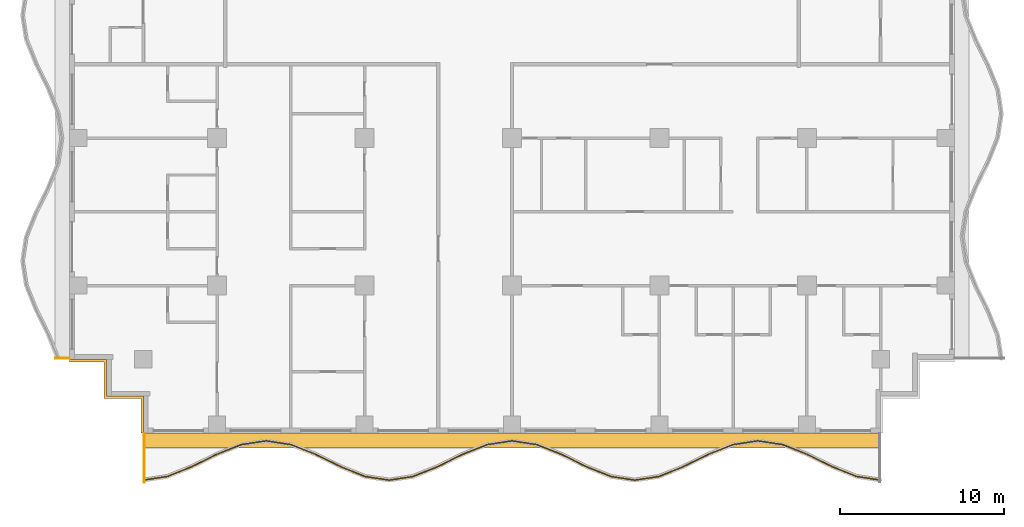
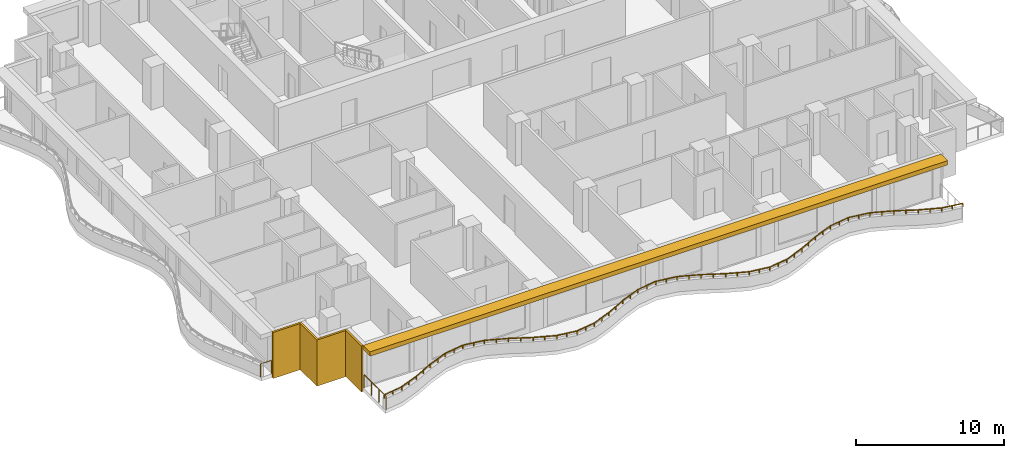
# One storey, part 8 of 11: 3 railings, 2 shading devices.
"""IFC4 building model written with IfcOpenShell, lengths in metres."""

from ifc_helpers import new_model, si_unit, direction, frame, origin, origin_2d, place, context, subcontext, project, spatial, polyline, rectangle, outline, extrude, material, layer, layer_set, type_object, element, save


model = new_model("IFC4")

# Units and contexts
model_context = context("Model", 3, precision=1e-05, world=origin(), true_north=direction((0.0, 1.0)))
body_context = subcontext(model_context, "Body", "Model", "MODEL_VIEW")
ifc_project = project(units=[si_unit("LENGTHUNIT", "METRE"), si_unit("AREAUNIT", "SQUARE_METRE"), si_unit("VOLUMEUNIT", "CUBIC_METRE"), si_unit("PLANEANGLEUNIT", "RADIAN"), si_unit("MASSUNIT", "GRAM", prefix="KILO")], contexts=[model_context])

# Site, building, storey
site_placement = place(None, origin())
site = spatial("IfcSite", under=ifc_project, at=site_placement, CompositionType="ELEMENT")
building_placement = place(site_placement, origin())
building = spatial("IfcBuilding", under=site, at=building_placement, Name="Orbiselva Terraces", CompositionType="ELEMENT")
storey_placement = place(building_placement, frame((0.0, 0.0, 188.2)))
storey = spatial("IfcBuildingStorey", under=building, at=storey_placement, Name="L47", CompositionType="ELEMENT", Elevation=188.2)

# Railings
ifc_material_1 = material(Name="Bonded two-ply safety glass balustrade, stainless steel posts", Category="steel")
railing_type_1 = type_object("IfcRailingType", Name="ENV-BALUSTRADE-1200", PredefinedType="BALUSTRADE", material=ifc_material_1)
railing_1_placement = place(storey_placement, frame((-22.518879, -25.376434, 0.9)))
element("IfcRailing", 1, at=railing_1_placement, inside=storey, type_object=railing_type_1, Name="Balcony balustrade L47 S", PredefinedType="BALUSTRADE", context=body_context, shape_type="SweptSolid", body=[
    extrude(outline(polyline([(0.028868, 0.0), (0.014434, 0.025), (-0.014434, 0.025), (-0.028868, 0.0), (-0.014434, -0.025), (0.014434, -0.025), (0.028868, 0.0)])), frame((0.0, 0.0, 0.275), z_axis=(0.988528552748, 0.151034103443, 0.0), x_axis=(-0.151034103443, 0.988528552748, 0.0)), (0.0, 0.0, 1.0), 1.503038),
    extrude(outline(polyline([(0.028868, 0.0), (0.014434, 0.025), (-0.014434, 0.025), (-0.028868, 0.0), (-0.014434, -0.025), (0.014434, -0.025), (0.028868, 0.0)])), frame((1.485796, 0.22701, 0.275), z_axis=(0.928476561272, 0.371391000387, 0.0), x_axis=(-0.371391000387, 0.928476561272, 0.0)), (0.0, 0.0, 1.0), 1.596261),
    extrude(outline(polyline([(0.028868, 0.0), (0.014434, 0.025), (-0.014434, 0.025), (-0.028868, 0.0), (-0.014434, -0.025), (0.014434, -0.025), (0.028868, 0.0)])), frame((2.967887, 0.819847, 0.275), z_axis=(0.896416672454, 0.443212307306, 0.0), x_axis=(-0.443212307306, 0.896416672454, 0.0)), (0.0, 0.0, 1.0), 1.673329),
    extrude(outline(polyline([(0.028868, 0.0), (0.014434, 0.025), (-0.014434, 0.025), (-0.028868, 0.0), (-0.014434, -0.025), (0.014434, -0.025), (0.028868, 0.0)])), frame((4.467887, 1.561487, 0.275), z_axis=(0.92847681744, 0.371390359967, 0.0), x_axis=(-0.371390359967, 0.92847681744, 0.0)), (0.0, 0.0, 1.0), 1.634838),
    extrude(outline(polyline([(0.028868, 0.0), (0.014434, 0.025), (-0.014434, 0.025), (-0.028868, 0.0), (-0.014434, -0.025), (0.014434, -0.025), (0.028868, 0.0)])), frame((5.985796, 2.16865, 0.275), z_axis=(0.988528536275, 0.151034211256, 0.0), x_axis=(-0.151034211256, 0.988528536275, 0.0)), (0.0, 0.0, 1.0), 1.550874),
    extrude(outline(polyline([(0.028868, 0.0), (0.014434, 0.025), (-0.014434, 0.025), (-0.028868, 0.0), (-0.014434, -0.025), (0.014434, -0.025), (0.028868, 0.0)])), frame((7.518879, 2.402885, 0.275), z_axis=(0.988528536275, -0.151034211256, 0.0), x_axis=(0.151034211256, 0.988528536275, 0.0)), (0.0, 0.0, 1.0), 1.550874),
    extrude(outline(polyline([(0.028868, 0.0), (0.014434, 0.025), (-0.014434, 0.025), (-0.028868, 0.0), (-0.014434, -0.025), (0.014434, -0.025), (0.028868, 0.0)])), frame((9.051962, 2.16865, 0.275), z_axis=(0.92847681744, -0.371390359967, 0.0), x_axis=(0.371390359967, 0.92847681744, 0.0)), (0.0, 0.0, 1.0), 1.634838),
    extrude(outline(polyline([(0.028868, 0.0), (0.014434, 0.025), (-0.014434, 0.025), (-0.028868, 0.0), (-0.014434, -0.025), (0.014434, -0.025), (0.028868, 0.0)])), frame((10.569871, 1.561487, 0.275), z_axis=(0.896416672454, -0.443212307306, 0.0), x_axis=(0.443212307306, 0.896416672454, 0.0)), (0.0, 0.0, 1.0), 1.673329),
    extrude(outline(polyline([(0.028868, 0.0), (0.014434, 0.025), (-0.014434, 0.025), (-0.028868, 0.0), (-0.014434, -0.025), (0.014434, -0.025), (0.028868, 0.0)])), frame((12.069871, 0.819847, 0.275), z_axis=(0.928476561272, -0.371391000387, 0.0), x_axis=(0.371391000387, 0.928476561272, 0.0)), (0.0, 0.0, 1.0), 1.596261),
    extrude(outline(polyline([(0.028868, 0.0), (0.014434, 0.025), (-0.014434, 0.025), (-0.028868, 0.0), (-0.014434, -0.025), (0.014434, -0.025), (0.028868, 0.0)])), frame((13.551962, 0.22701, 0.275), z_axis=(0.988528606898, -0.151033749027, 0.0), x_axis=(0.151033749027, 0.988528606898, 0.0)), (0.0, 0.0, 1.0), 1.48394),
    extrude(outline(polyline([(0.028868, 0.0), (0.014434, 0.025), (-0.014434, 0.025), (-0.028868, 0.0), (-0.014434, -0.025), (0.014434, -0.025), (0.028868, 0.0)])), frame((15.018879, 0.002885, 0.275), z_axis=(0.988528606898, 0.151033749027, 0.0), x_axis=(-0.151033749027, 0.988528606898, 0.0)), (0.0, 0.0, 1.0), 1.48394),
    extrude(outline(polyline([(0.028868, 0.0), (0.014434, 0.025), (-0.014434, 0.025), (-0.028868, 0.0), (-0.014434, -0.025), (0.014434, -0.025), (0.028868, 0.0)])), frame((16.485796, 0.22701, 0.275), z_axis=(0.928476561272, 0.371391000387, 0.0), x_axis=(-0.371391000387, 0.928476561272, 0.0)), (0.0, 0.0, 1.0), 1.596261),
    extrude(outline(polyline([(0.028868, 0.0), (0.014434, 0.025), (-0.014434, 0.025), (-0.028868, 0.0), (-0.014434, -0.025), (0.014434, -0.025), (0.028868, 0.0)])), frame((17.967887, 0.819847, 0.275), z_axis=(0.896416672454, 0.443212307306, 0.0), x_axis=(-0.443212307306, 0.896416672454, 0.0)), (0.0, 0.0, 1.0), 1.673329),
    extrude(outline(polyline([(0.028868, 0.0), (0.014434, 0.025), (-0.014434, 0.025), (-0.028868, 0.0), (-0.014434, -0.025), (0.014434, -0.025), (0.028868, 0.0)])), frame((19.467887, 1.561487, 0.275), z_axis=(0.92847681744, 0.371390359967, 0.0), x_axis=(-0.371390359967, 0.92847681744, 0.0)), (0.0, 0.0, 1.0), 1.634838),
    extrude(outline(polyline([(0.028868, 0.0), (0.014434, 0.025), (-0.014434, 0.025), (-0.028868, 0.0), (-0.014434, -0.025), (0.014434, -0.025), (0.028868, 0.0)])), frame((20.985796, 2.16865, 0.275), z_axis=(0.988528536275, 0.151034211256, 0.0), x_axis=(-0.151034211256, 0.988528536275, 0.0)), (0.0, 0.0, 1.0), 1.550874),
    extrude(outline(polyline([(0.028868, 0.0), (0.014434, 0.025), (-0.014434, 0.025), (-0.028868, 0.0), (-0.014434, -0.025), (0.014434, -0.025), (0.028868, 0.0)])), frame((22.518879, 2.402885, 0.275), z_axis=(0.988528536275, -0.151034211256, 0.0), x_axis=(0.151034211256, 0.988528536275, 0.0)), (0.0, 0.0, 1.0), 1.550874),
    extrude(outline(polyline([(0.028868, 0.0), (0.014434, 0.025), (-0.014434, 0.025), (-0.028868, 0.0), (-0.014434, -0.025), (0.014434, -0.025), (0.028868, 0.0)])), frame((24.051962, 2.16865, 0.275), z_axis=(0.92847681744, -0.371390359967, 0.0), x_axis=(0.371390359967, 0.92847681744, 0.0)), (0.0, 0.0, 1.0), 1.634838),
    extrude(outline(polyline([(0.028868, 0.0), (0.014434, 0.025), (-0.014434, 0.025), (-0.028868, 0.0), (-0.014434, -0.025), (0.014434, -0.025), (0.028868, 0.0)])), frame((25.569871, 1.561487, 0.275), z_axis=(0.896416672454, -0.443212307306, 0.0), x_axis=(0.443212307306, 0.896416672454, 0.0)), (0.0, 0.0, 1.0), 1.673329),
    extrude(outline(polyline([(0.028868, 0.0), (0.014434, 0.025), (-0.014434, 0.025), (-0.028868, 0.0), (-0.014434, -0.025), (0.014434, -0.025), (0.028868, 0.0)])), frame((27.069871, 0.819847, 0.275), z_axis=(0.928476561272, -0.371391000387, 0.0), x_axis=(0.371391000387, 0.928476561272, 0.0)), (0.0, 0.0, 1.0), 1.596261),
    extrude(outline(polyline([(0.028868, 0.0), (0.014434, 0.025), (-0.014434, 0.025), (-0.028868, 0.0), (-0.014434, -0.025), (0.014434, -0.025), (0.028868, 0.0)])), frame((28.551962, 0.22701, 0.275), z_axis=(0.988528606898, -0.151033749027, 0.0), x_axis=(0.151033749027, 0.988528606898, 0.0)), (0.0, 0.0, 1.0), 1.48394),
    extrude(outline(polyline([(0.028868, 0.0), (0.014434, 0.025), (-0.014434, 0.025), (-0.028868, 0.0), (-0.014434, -0.025), (0.014434, -0.025), (0.028868, 0.0)])), frame((30.018879, 0.002885, 0.275), z_axis=(0.988528606898, 0.151033749027, 0.0), x_axis=(-0.151033749027, 0.988528606898, 0.0)), (0.0, 0.0, 1.0), 1.48394),
    extrude(outline(polyline([(0.028868, 0.0), (0.014434, 0.025), (-0.014434, 0.025), (-0.028868, 0.0), (-0.014434, -0.025), (0.014434, -0.025), (0.028868, 0.0)])), frame((31.485796, 0.22701, 0.275), z_axis=(0.928476561272, 0.371391000387, 0.0), x_axis=(-0.371391000387, 0.928476561272, 0.0)), (0.0, 0.0, 1.0), 1.596261),
    extrude(outline(polyline([(0.028868, 0.0), (0.014434, 0.025), (-0.014434, 0.025), (-0.028868, 0.0), (-0.014434, -0.025), (0.014434, -0.025), (0.028868, 0.0)])), frame((32.967887, 0.819847, 0.275), z_axis=(0.896416672454, 0.443212307306, 0.0), x_axis=(-0.443212307306, 0.896416672454, 0.0)), (0.0, 0.0, 1.0), 1.673329),
    extrude(outline(polyline([(0.028868, 0.0), (0.014434, 0.025), (-0.014434, 0.025), (-0.028868, 0.0), (-0.014434, -0.025), (0.014434, -0.025), (0.028868, 0.0)])), frame((34.467887, 1.561487, 0.275), z_axis=(0.92847681744, 0.371390359967, 0.0), x_axis=(-0.371390359967, 0.92847681744, 0.0)), (0.0, 0.0, 1.0), 1.634838),
    extrude(outline(polyline([(0.028868, 0.0), (0.014434, 0.025), (-0.014434, 0.025), (-0.028868, 0.0), (-0.014434, -0.025), (0.014434, -0.025), (0.028868, 0.0)])), frame((35.985796, 2.16865, 0.275), z_axis=(0.988528536275, 0.151034211256, 0.0), x_axis=(-0.151034211256, 0.988528536275, 0.0)), (0.0, 0.0, 1.0), 1.550874),
    extrude(outline(polyline([(0.028868, 0.0), (0.014434, 0.025), (-0.014434, 0.025), (-0.028868, 0.0), (-0.014434, -0.025), (0.014434, -0.025), (0.028868, 0.0)])), frame((37.518879, 2.402885, 0.275), z_axis=(0.988528536275, -0.151034211256, 0.0), x_axis=(0.151034211256, 0.988528536275, 0.0)), (0.0, 0.0, 1.0), 1.550874),
    extrude(outline(polyline([(0.028868, 0.0), (0.014434, 0.025), (-0.014434, 0.025), (-0.028868, 0.0), (-0.014434, -0.025), (0.014434, -0.025), (0.028868, 0.0)])), frame((39.051962, 2.16865, 0.275), z_axis=(0.92847681744, -0.371390359967, 0.0), x_axis=(0.371390359967, 0.92847681744, 0.0)), (0.0, 0.0, 1.0), 1.634838),
    extrude(outline(polyline([(0.028868, 0.0), (0.014434, 0.025), (-0.014434, 0.025), (-0.028868, 0.0), (-0.014434, -0.025), (0.014434, -0.025), (0.028868, 0.0)])), frame((40.569871, 1.561487, 0.275), z_axis=(0.896416672454, -0.443212307306, 0.0), x_axis=(0.443212307306, 0.896416672454, 0.0)), (0.0, 0.0, 1.0), 1.673329),
    extrude(outline(polyline([(0.028868, 0.0), (0.014434, 0.025), (-0.014434, 0.025), (-0.028868, 0.0), (-0.014434, -0.025), (0.014434, -0.025), (0.028868, 0.0)])), frame((42.069871, 0.819847, 0.275), z_axis=(0.928476561272, -0.371391000387, 0.0), x_axis=(0.371391000387, 0.928476561272, 0.0)), (0.0, 0.0, 1.0), 1.596261),
    extrude(outline(polyline([(0.028868, 0.0), (0.014434, 0.025), (-0.014434, 0.025), (-0.028868, 0.0), (-0.014434, -0.025), (0.014434, -0.025), (0.028868, 0.0)])), frame((43.551962, 0.22701, 0.275), z_axis=(0.988528552748, -0.151034103443, 0.0), x_axis=(0.151034103443, 0.988528552748, 0.0)), (0.0, 0.0, 1.0), 1.503038),
    extrude(rectangle(XDim=0.05, YDim=0.05, at=origin_2d()), origin(), (0.0, 0.0, 1.0), 0.25),
    extrude(rectangle(XDim=0.05, YDim=0.05, at=origin_2d()), frame((0.742898, 0.113505, 0.0)), (0.0, 0.0, 1.0), 0.25),
    extrude(rectangle(XDim=0.05, YDim=0.05, at=origin_2d()), frame((1.485796, 0.22701, 0.0)), (0.0, 0.0, 1.0), 0.25),
    extrude(rectangle(XDim=0.05, YDim=0.05, at=origin_2d()), frame((2.226841, 0.523428, 0.0)), (0.0, 0.0, 1.0), 0.25),
    extrude(rectangle(XDim=0.05, YDim=0.05, at=origin_2d()), frame((2.967887, 0.819847, 0.0)), (0.0, 0.0, 1.0), 0.25),
    extrude(rectangle(XDim=0.05, YDim=0.05, at=origin_2d()), frame((3.717887, 1.190667, 0.0)), (0.0, 0.0, 1.0), 0.25),
    extrude(rectangle(XDim=0.05, YDim=0.05, at=origin_2d()), frame((4.467887, 1.561487, 0.0)), (0.0, 0.0, 1.0), 0.25),
    extrude(rectangle(XDim=0.05, YDim=0.05, at=origin_2d()), frame((5.226841, 1.865068, 0.0)), (0.0, 0.0, 1.0), 0.25),
    extrude(rectangle(XDim=0.05, YDim=0.05, at=origin_2d()), frame((5.985796, 2.16865, 0.0)), (0.0, 0.0, 1.0), 0.25),
    extrude(rectangle(XDim=0.05, YDim=0.05, at=origin_2d()), frame((6.752337, 2.285768, 0.0)), (0.0, 0.0, 1.0), 0.25),
    extrude(rectangle(XDim=0.05, YDim=0.05, at=origin_2d()), frame((7.518879, 2.402885, 0.0)), (0.0, 0.0, 1.0), 0.25),
    extrude(rectangle(XDim=0.05, YDim=0.05, at=origin_2d()), frame((8.28542, 2.285768, 0.0)), (0.0, 0.0, 1.0), 0.25),
    extrude(rectangle(XDim=0.05, YDim=0.05, at=origin_2d()), frame((9.051962, 2.16865, 0.0)), (0.0, 0.0, 1.0), 0.25),
    extrude(rectangle(XDim=0.05, YDim=0.05, at=origin_2d()), frame((9.810916, 1.865068, 0.0)), (0.0, 0.0, 1.0), 0.25),
    extrude(rectangle(XDim=0.05, YDim=0.05, at=origin_2d()), frame((10.569871, 1.561487, 0.0)), (0.0, 0.0, 1.0), 0.25),
    extrude(rectangle(XDim=0.05, YDim=0.05, at=origin_2d()), frame((11.319871, 1.190667, 0.0)), (0.0, 0.0, 1.0), 0.25),
    extrude(rectangle(XDim=0.05, YDim=0.05, at=origin_2d()), frame((12.069871, 0.819847, 0.0)), (0.0, 0.0, 1.0), 0.25),
    extrude(rectangle(XDim=0.05, YDim=0.05, at=origin_2d()), frame((12.810916, 0.523428, 0.0)), (0.0, 0.0, 1.0), 0.25),
    extrude(rectangle(XDim=0.05, YDim=0.05, at=origin_2d()), frame((13.551962, 0.22701, 0.0)), (0.0, 0.0, 1.0), 0.25),
    extrude(rectangle(XDim=0.05, YDim=0.05, at=origin_2d()), frame((14.28542, 0.114947, 0.0)), (0.0, 0.0, 1.0), 0.25),
    extrude(rectangle(XDim=0.05, YDim=0.05, at=origin_2d()), frame((15.018879, 0.002885, 0.0)), (0.0, 0.0, 1.0), 0.25),
    extrude(rectangle(XDim=0.05, YDim=0.05, at=origin_2d()), frame((15.752337, 0.114947, 0.0)), (0.0, 0.0, 1.0), 0.25),
    extrude(rectangle(XDim=0.05, YDim=0.05, at=origin_2d()), frame((16.485796, 0.22701, 0.0)), (0.0, 0.0, 1.0), 0.25),
    extrude(rectangle(XDim=0.05, YDim=0.05, at=origin_2d()), frame((17.226842, 0.523428, 0.0)), (0.0, 0.0, 1.0), 0.25),
    extrude(rectangle(XDim=0.05, YDim=0.05, at=origin_2d()), frame((17.967887, 0.819847, 0.0)), (0.0, 0.0, 1.0), 0.25),
    extrude(rectangle(XDim=0.05, YDim=0.05, at=origin_2d()), frame((18.717887, 1.190667, 0.0)), (0.0, 0.0, 1.0), 0.25),
    extrude(rectangle(XDim=0.05, YDim=0.05, at=origin_2d()), frame((19.467887, 1.561487, 0.0)), (0.0, 0.0, 1.0), 0.25),
    extrude(rectangle(XDim=0.05, YDim=0.05, at=origin_2d()), frame((20.226842, 1.865068, 0.0)), (0.0, 0.0, 1.0), 0.25),
    extrude(rectangle(XDim=0.05, YDim=0.05, at=origin_2d()), frame((20.985796, 2.16865, 0.0)), (0.0, 0.0, 1.0), 0.25),
    extrude(rectangle(XDim=0.05, YDim=0.05, at=origin_2d()), frame((21.752337, 2.285768, 0.0)), (0.0, 0.0, 1.0), 0.25),
    extrude(rectangle(XDim=0.05, YDim=0.05, at=origin_2d()), frame((22.518879, 2.402885, 0.0)), (0.0, 0.0, 1.0), 0.25),
    extrude(rectangle(XDim=0.05, YDim=0.05, at=origin_2d()), frame((23.28542, 2.285768, 0.0)), (0.0, 0.0, 1.0), 0.25),
    extrude(rectangle(XDim=0.05, YDim=0.05, at=origin_2d()), frame((24.051962, 2.16865, 0.0)), (0.0, 0.0, 1.0), 0.25),
    extrude(rectangle(XDim=0.05, YDim=0.05, at=origin_2d()), frame((24.810916, 1.865068, 0.0)), (0.0, 0.0, 1.0), 0.25),
    extrude(rectangle(XDim=0.05, YDim=0.05, at=origin_2d()), frame((25.569871, 1.561487, 0.0)), (0.0, 0.0, 1.0), 0.25),
    extrude(rectangle(XDim=0.05, YDim=0.05, at=origin_2d()), frame((26.319871, 1.190667, 0.0)), (0.0, 0.0, 1.0), 0.25),
    extrude(rectangle(XDim=0.05, YDim=0.05, at=origin_2d()), frame((27.069871, 0.819847, 0.0)), (0.0, 0.0, 1.0), 0.25),
    extrude(rectangle(XDim=0.05, YDim=0.05, at=origin_2d()), frame((27.810916, 0.523428, 0.0)), (0.0, 0.0, 1.0), 0.25),
    extrude(rectangle(XDim=0.05, YDim=0.05, at=origin_2d()), frame((28.551962, 0.22701, 0.0)), (0.0, 0.0, 1.0), 0.25),
    extrude(rectangle(XDim=0.05, YDim=0.05, at=origin_2d()), frame((29.28542, 0.114947, 0.0)), (0.0, 0.0, 1.0), 0.25),
    extrude(rectangle(XDim=0.05, YDim=0.05, at=origin_2d()), frame((30.018879, 0.002885, 0.0)), (0.0, 0.0, 1.0), 0.25),
    extrude(rectangle(XDim=0.05, YDim=0.05, at=origin_2d()), frame((30.752338, 0.114947, 0.0)), (0.0, 0.0, 1.0), 0.25),
    extrude(rectangle(XDim=0.05, YDim=0.05, at=origin_2d()), frame((31.485796, 0.22701, 0.0)), (0.0, 0.0, 1.0), 0.25),
    extrude(rectangle(XDim=0.05, YDim=0.05, at=origin_2d()), frame((32.226842, 0.523428, 0.0)), (0.0, 0.0, 1.0), 0.25),
    extrude(rectangle(XDim=0.05, YDim=0.05, at=origin_2d()), frame((32.967887, 0.819847, 0.0)), (0.0, 0.0, 1.0), 0.25),
    extrude(rectangle(XDim=0.05, YDim=0.05, at=origin_2d()), frame((33.717887, 1.190667, 0.0)), (0.0, 0.0, 1.0), 0.25),
    extrude(rectangle(XDim=0.05, YDim=0.05, at=origin_2d()), frame((34.467887, 1.561487, 0.0)), (0.0, 0.0, 1.0), 0.25),
    extrude(rectangle(XDim=0.05, YDim=0.05, at=origin_2d()), frame((35.226842, 1.865068, 0.0)), (0.0, 0.0, 1.0), 0.25),
    extrude(rectangle(XDim=0.05, YDim=0.05, at=origin_2d()), frame((35.985796, 2.16865, 0.0)), (0.0, 0.0, 1.0), 0.25),
    extrude(rectangle(XDim=0.05, YDim=0.05, at=origin_2d()), frame((36.752337, 2.285768, 0.0)), (0.0, 0.0, 1.0), 0.25),
    extrude(rectangle(XDim=0.05, YDim=0.05, at=origin_2d()), frame((37.518879, 2.402885, 0.0)), (0.0, 0.0, 1.0), 0.25),
    extrude(rectangle(XDim=0.05, YDim=0.05, at=origin_2d()), frame((38.28542, 2.285768, 0.0)), (0.0, 0.0, 1.0), 0.25),
    extrude(rectangle(XDim=0.05, YDim=0.05, at=origin_2d()), frame((39.051962, 2.16865, 0.0)), (0.0, 0.0, 1.0), 0.25),
    extrude(rectangle(XDim=0.05, YDim=0.05, at=origin_2d()), frame((39.810917, 1.865068, 0.0)), (0.0, 0.0, 1.0), 0.25),
    extrude(rectangle(XDim=0.05, YDim=0.05, at=origin_2d()), frame((40.569871, 1.561487, 0.0)), (0.0, 0.0, 1.0), 0.25),
    extrude(rectangle(XDim=0.05, YDim=0.05, at=origin_2d()), frame((41.319871, 1.190667, 0.0)), (0.0, 0.0, 1.0), 0.25),
    extrude(rectangle(XDim=0.05, YDim=0.05, at=origin_2d()), frame((42.069871, 0.819847, 0.0)), (0.0, 0.0, 1.0), 0.25),
    extrude(rectangle(XDim=0.05, YDim=0.05, at=origin_2d()), frame((42.810917, 0.523428, 0.0)), (0.0, 0.0, 1.0), 0.25),
    extrude(rectangle(XDim=0.05, YDim=0.05, at=origin_2d()), frame((43.551962, 0.22701, 0.0)), (0.0, 0.0, 1.0), 0.25),
    extrude(rectangle(XDim=0.05, YDim=0.05, at=origin_2d()), frame((44.29486, 0.113505, 0.0)), (0.0, 0.0, 1.0), 0.25),
    extrude(rectangle(XDim=0.05, YDim=0.05, at=origin_2d()), frame((45.037758, 0.0, 0.0)), (0.0, 0.0, 1.0), 0.25),
])
ifc_material_2 = material(Name="Stainless steel rail and posts", Category="steel")
railing_type_2 = type_object("IfcRailingType", Name="ENV-GUARD-1105", PredefinedType="BALUSTRADE", material=ifc_material_2)
railing_2_placement = place(storey_placement, frame((-22.44, -25.499621, 0.0)))
element("IfcRailing", 2, at=railing_2_placement, inside=storey, type_object=railing_type_2, Name="Balcony end guard L47 S", PredefinedType="BALUSTRADE", context=body_context, shape_type="SweptSolid", body=[
    extrude(outline(polyline([(0.028868, 0.0), (0.014434, 0.025), (-0.014434, 0.025), (-0.028868, 0.0), (-0.014434, -0.025), (0.014434, -0.025), (0.028868, 0.0)])), frame((0.0, 0.0, 1.08), z_axis=(0.0, 1.0, 0.0), x_axis=(-1.0, 0.0, 0.0)), (0.0, 0.0, 1.0), 2.974621),
    extrude(rectangle(XDim=0.05, YDim=0.05, at=origin_2d()), origin(), (0.0, 0.0, 1.0), 1.055),
    extrude(rectangle(XDim=0.05, YDim=0.05, at=origin_2d()), frame((0.0, 0.99154, 0.0)), (0.0, 0.0, 1.0), 1.055),
    extrude(rectangle(XDim=0.05, YDim=0.05, at=origin_2d()), frame((0.0, 1.983081, 0.0)), (0.0, 0.0, 1.0), 1.055),
    extrude(rectangle(XDim=0.05, YDim=0.05, at=origin_2d()), frame((0.0, 2.974621, 0.0)), (0.0, 0.0, 1.0), 1.055),
])
railing_3_placement = place(storey_placement, frame((-27.847212, -17.94, 0.0)))
element("IfcRailing", 3, at=railing_3_placement, inside=storey, type_object=railing_type_2, Name="Balcony end guard L47 W", PredefinedType="BALUSTRADE", context=body_context, shape_type="SweptSolid", body=[
    extrude(outline(polyline([(0.028868, 0.0), (0.014434, 0.025), (-0.014434, 0.025), (-0.028868, 0.0), (-0.014434, -0.025), (0.014434, -0.025), (0.028868, 0.0)])), frame((0.0, 0.0, 1.08), z_axis=(1.0, 0.0, 0.0), x_axis=(0.0, 1.0, 0.0)), (0.0, 0.0, 1.0), 0.822212),
    extrude(rectangle(XDim=0.05, YDim=0.05, at=origin_2d()), origin(), (0.0, 0.0, 1.0), 1.055),
    extrude(rectangle(XDim=0.05, YDim=0.05, at=origin_2d()), frame((0.822212, 0.0, 0.0)), (0.0, 0.0, 1.0), 1.055),
])

# Shading devices
ifc_material_3 = material(Name="Terracotta louvre screen", Category="masonry")
ifc_layer_1 = layer(ifc_material_3, 0.15)
ifc_layer_set_1 = layer_set([ifc_layer_1], Name="Terracotta louvre screen")
shading_device_type_1 = type_object("IfcShadingDeviceType", Name="ENV-SCREEN-150", PredefinedType="USERDEFINED", material=ifc_layer_set_1)
shading_device_1_placement = place(storey_placement, frame((0.0, 0.0, -0.3)))
element("IfcShadingDevice", 4, at=shading_device_1_placement, inside=storey, type_object=shading_device_type_1, Name="Louvre screen L47 SW", ObjectType="SCREEN", PredefinedType="USERDEFINED", context=body_context, shape_type="SweptSolid", body=[
    extrude(outline(polyline([(-27.0, -18.15), (-24.9, -18.15), (-24.9, -20.4), (-22.65, -20.4), (-22.65, -22.5), (-22.5, -22.5), (-22.5, -20.25), (-24.75, -20.25), (-24.75, -18.0), (-27.0, -18.0), (-27.0, -18.15)])), origin(), (0.0, 0.0, 1.0), 3.8),
])
ifc_material_4 = material(Name="Terracotta baguette sunshade", Category="masonry")
ifc_layer_2 = layer(ifc_material_4, 0.35)
ifc_layer_set_2 = layer_set([ifc_layer_2], Name="Terracotta baguette sunshade")
shading_device_type_2 = type_object("IfcShadingDeviceType", Name="ENV-SUNSHADE-900x350", PredefinedType="USERDEFINED", material=ifc_layer_set_2)
shading_device_2_placement = place(storey_placement, frame((0.0, 0.0, 3.15)))
element("IfcShadingDevice", 5, at=shading_device_2_placement, inside=storey, type_object=shading_device_type_2, Name="Sunshade band L47 S", ObjectType="SUNSHADE", PredefinedType="USERDEFINED", context=body_context, shape_type="SweptSolid", body=[
    extrude(outline(polyline([(-22.5, -23.4), (22.5, -23.4), (22.5, -22.5), (-22.5, -22.5), (-22.5, -23.4)])), origin(), (0.0, 0.0, 1.0), 0.35),
])

save(model, "model.ifc")
